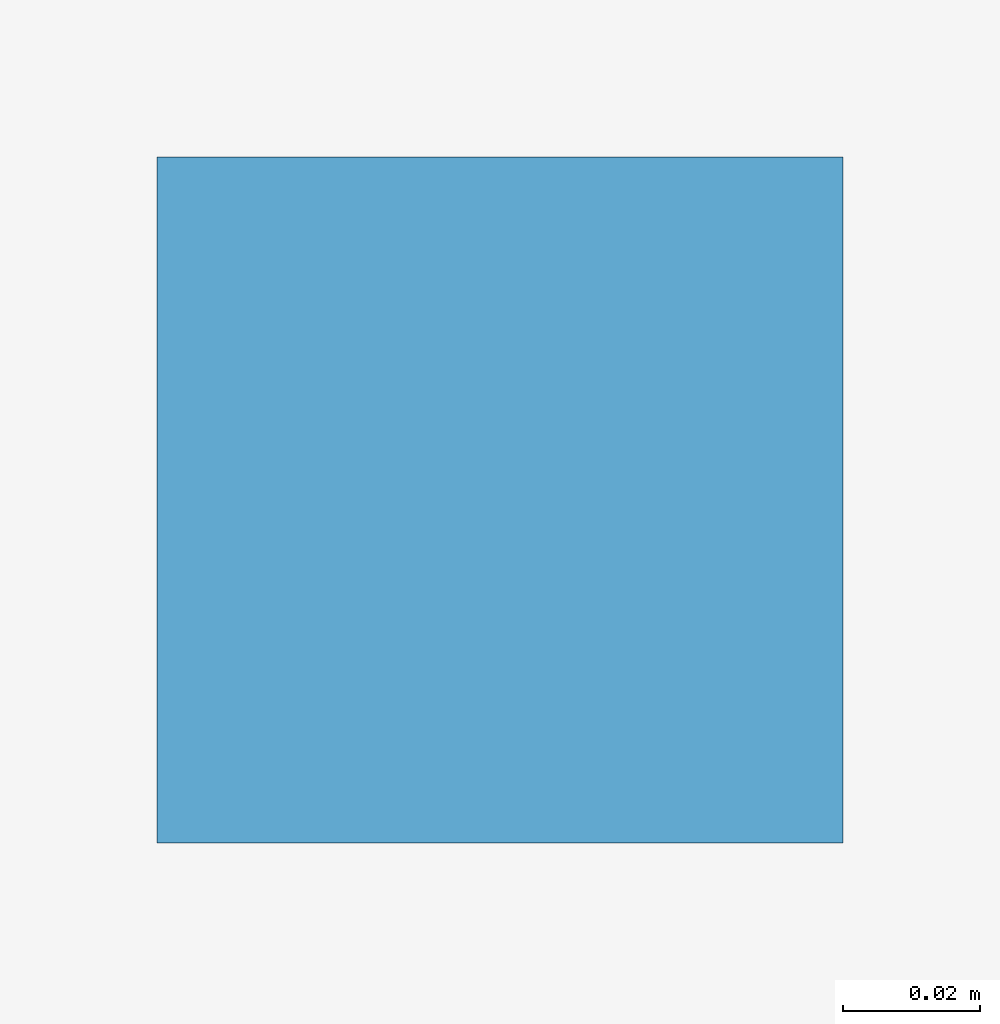
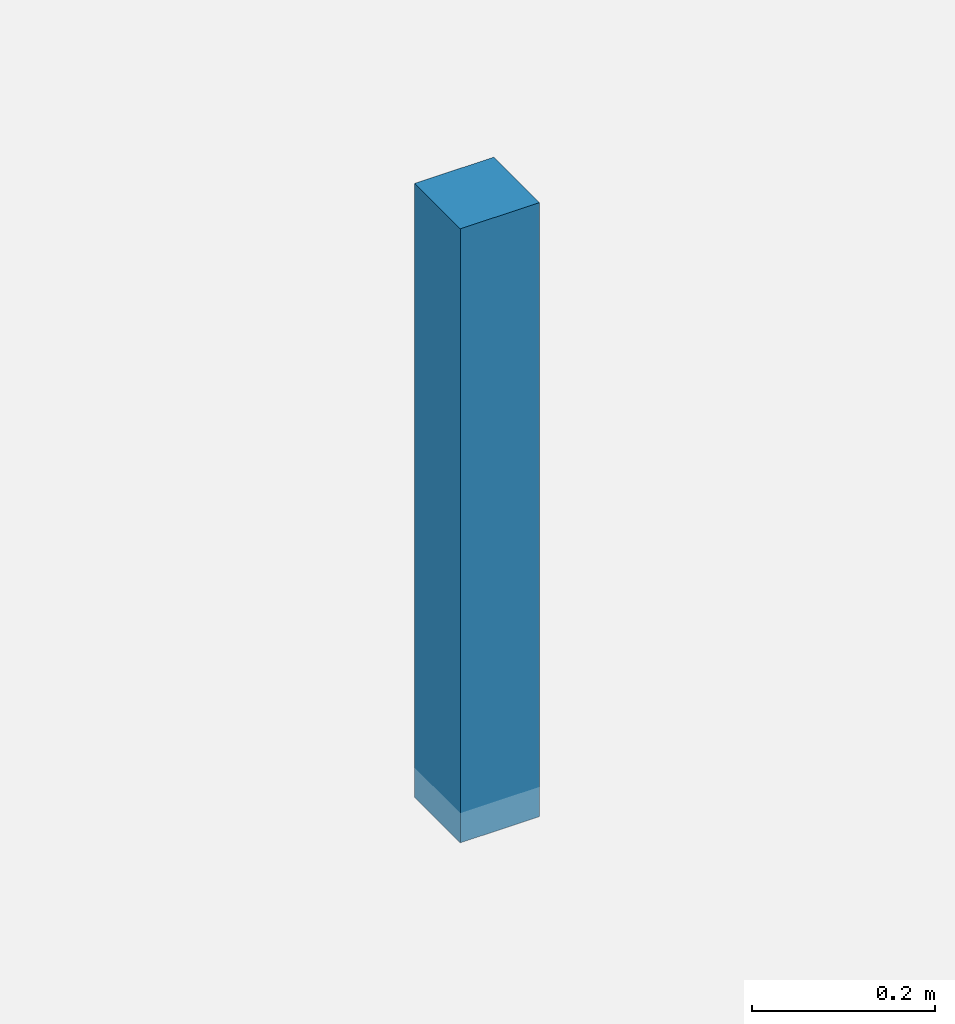
# One storey, part 44 of 52: 1 discrete accessory.
"""IFC4 building model written with IfcOpenShell, lengths in metres."""

import ifcopenshell
import ifcopenshell.guid

model = None  # the IFC model being written
_history = None  # IfcOwnerHistory: only IFC2X3 demands one
_inside = {}  # id of a spatial element -> (the spatial element, [elements in it])
_under = {}  # id of a project, library or spatial element -> (it, [spatial elements below it])
_declared = {}  # id of a project -> (the project, [libraries it declares])
_typed = {}  # id of a type object -> (the type object, [elements of that type])
_made_of = {}  # id of a material, layer set ... -> (it, [elements and type objects made of it])


def new_model(schema):
    """Start an empty IFC model of exactly this schema.

    Asked for "IFC4X3", IfcOpenShell would pick the latest addendum, in which some entities
    have other attributes; the version numbers below select the first issue.
    IFC2X3 requires an IfcOwnerHistory on every rooted entity: one is made here for all.
    """
    global model, _history
    if schema == "IFC4X3":
        model = ifcopenshell.file(schema_version=(4, 3, 0, 0))
    else:
        model = ifcopenshell.file(schema=schema)
    _inside.clear()
    _under.clear()
    _declared.clear()
    _typed.clear()
    _made_of.clear()
    _history = None
    if model.schema == "IFC2X3":
        org = make("IfcOrganization", Name="unknown")
        user = make(
            "IfcPersonAndOrganization",
            ThePerson=make("IfcPerson", FamilyName="unknown"),
            TheOrganization=org,
        )
        app = make(
            "IfcApplication",
            ApplicationDeveloper=org,
            Version="unknown",
            ApplicationFullName="unknown",
            ApplicationIdentifier="unknown",
        )
        _history = make(
            "IfcOwnerHistory",
            OwningUser=user,
            OwningApplication=app,
            ChangeAction="ADDED",
            CreationDate=0,
        )
    return model


def make(cls, **values):
    """One entity of the class cls with the attributes given. An attribute that is None is left unset."""
    return model.create_entity(
        cls, **{name: value for name, value in values.items() if value is not None}
    )


def rooted(cls, **values):
    """An entity with a GlobalId (a new one), such as an element, a storey or a relation."""
    return make(cls, GlobalId=ifcopenshell.guid.new(), OwnerHistory=_history, **values)


def si_unit(unit_type, name, prefix=None):
    """IfcSIUnit, for example si_unit("LENGTHUNIT", "METRE", prefix="MILLI")."""
    return make("IfcSIUnit", UnitType=unit_type, Prefix=prefix, Name=name)


def assignment(units):
    """IfcUnitAssignment: the units of a project."""
    return None if units is None else make("IfcUnitAssignment", Units=units)


def point(xyz):
    """IfcCartesianPoint."""
    return None if xyz is None else make("IfcCartesianPoint", Coordinates=xyz)


def direction(xyz):
    """IfcDirection."""
    return None if xyz is None else make("IfcDirection", DirectionRatios=xyz)


def frame(location, z_axis=None, x_axis=None):
    """IfcAxis2Placement3D, a coordinate frame: its origin and axes. An axis left out is left unset."""
    return make(
        "IfcAxis2Placement3D",
        Location=point(location),
        Axis=direction(z_axis),
        RefDirection=direction(x_axis),
    )


def frame_2d(location, x_axis=None):
    """IfcAxis2Placement2D, a coordinate frame in the plane: its origin and x axis."""
    return make(
        "IfcAxis2Placement2D", Location=point(location), RefDirection=direction(x_axis)
    )


def origin():
    """The frame at (0, 0, 0) with its axes left unset."""
    return frame((0.0, 0.0, 0.0))


def origin_2d():
    """The frame at (0, 0) in the plane with its x axis left unset."""
    return frame_2d((0.0, 0.0))


def place(relative_to, where):
    """IfcLocalPlacement: puts the frame where relative to a parent placement (None: the world)."""
    return make(
        "IfcLocalPlacement", PlacementRelTo=relative_to, RelativePlacement=where
    )


def context(
    kind, dimensions, precision=None, world=None, true_north=None, identifier=None
):
    """IfcGeometricRepresentationContext, for example the 3D "Model" context."""
    return make(
        "IfcGeometricRepresentationContext",
        ContextIdentifier=identifier,
        ContextType=kind,
        CoordinateSpaceDimension=dimensions,
        Precision=precision,
        WorldCoordinateSystem=world,
        TrueNorth=true_north,
    )


def subcontext(parent, identifier, kind, view, scale=None):
    """IfcGeometricRepresentationSubContext, for example "Body" below "Model"."""
    return make(
        "IfcGeometricRepresentationSubContext",
        ContextIdentifier=identifier,
        ContextType=kind,
        ParentContext=parent,
        TargetScale=scale,
        TargetView=view,
    )


def project(units=None, contexts=None):
    """IfcProject with its units and contexts."""
    return rooted(
        "IfcProject",
        Name="project",
        RepresentationContexts=contexts,
        UnitsInContext=assignment(units),
    )


def spatial(cls, under=None, at=None, **own):
    """A site, building, storey or space (cls), placed at a placement, below another one or the project."""
    s = rooted(cls, ObjectPlacement=at, **own)
    if under is not None:
        _under.setdefault(under.id(), (under, []))[1].append(s)
    return s


def profile(cls, at=None, kind="AREA", **sizes):
    """A parametric profile (cls). Its sizes go by their IFC names, for example OverallWidth=200.0."""
    return make(cls, ProfileType=kind, Position=at, **sizes)


def rectangle(**sizes):
    """IfcRectangleProfileDef."""
    return profile("IfcRectangleProfileDef", **sizes)


def extrude(swept, where, along, depth):
    """IfcExtrudedAreaSolid: the profile swept, set in the frame where, extruded along a direction by depth."""
    return make(
        "IfcExtrudedAreaSolid",
        SweptArea=swept,
        Position=where,
        ExtrudedDirection=direction(along),
        Depth=depth,
    )


def shape(context_of_items, identifier, shape_type, items):
    """IfcShapeRepresentation: the items that make up one representation, for example the "Body"."""
    return make(
        "IfcShapeRepresentation",
        ContextOfItems=context_of_items,
        RepresentationIdentifier=identifier,
        RepresentationType=shape_type,
        Items=items,
    )


def material(Name=None, Category=None):
    """IfcMaterial."""
    return make("IfcMaterial", Name=Name, Category=Category)


def made_of(thing, what):
    """Note that an element or type object is made of a material, layer set ...; save() writes the relation."""
    if what is not None:
        _made_of.setdefault(what.id(), (what, []))[1].append(thing)
    return thing


def type_object(cls, material=None, **own):
    """A type object (cls), such as IfcWallType, which elements share."""
    return made_of(rooted(cls, **own), material)


def element(
    cls,
    number,
    at=None,
    inside=None,
    cuts=None,
    type_object=None,
    material=None,
    context=None,
    identifier="Body",
    shape_type=None,
    held_by="IfcProductDefinitionShape",
    body=None,
    shapes=None,
    **own,
):
    """One element of the class cls, such as IfcWall. Its Tag is "e" and its number.

    at: its placement. inside: the storey or other place that contains it. cuts: it is an
    opening in that element (IfcRelVoidsElement). A single representation is given by context,
    identifier, shape_type and body (its items); several are given by shapes. held_by: the class
    of the entity that holds the representations. save() writes the other relations.
    """
    e = rooted(cls, Tag="e%d" % number, ObjectPlacement=at, **own)
    if body is not None:
        shapes = [shape(context, identifier, shape_type, body)]
    if shapes is not None:
        e.Representation = make(held_by, Representations=shapes)
    if inside is not None:
        _inside.setdefault(inside.id(), (inside, []))[1].append(e)
    if cuts is not None:
        rooted(
            "IfcRelVoidsElement", RelatingBuildingElement=cuts, RelatedOpeningElement=e
        )
    if type_object is not None:
        _typed.setdefault(type_object.id(), (type_object, []))[1].append(e)
    return made_of(e, material)


def aggregate(whole, parts):
    """IfcRelAggregates: a whole, such as a stair, and the parts it consists of."""
    return rooted("IfcRelAggregates", RelatingObject=whole, RelatedObjects=parts)


def save(model, path):
    """Write the relations noted so far, then the file.

    IfcRelAggregates (storeys below a building ...), IfcRelContainedInSpatialStructure (elements
    in a storey), IfcRelDefinesByType, IfcRelAssociatesMaterial and IfcRelDeclares: one each for
    every whole, place, type object, material and project.
    """
    for whole, parts in _under.values():
        aggregate(whole, parts)
    for where, things in _inside.values():
        rooted(
            "IfcRelContainedInSpatialStructure",
            RelatedElements=things,
            RelatingStructure=where,
        )
    for kind, things in _typed.values():
        rooted("IfcRelDefinesByType", RelatedObjects=things, RelatingType=kind)
    for what, things in _made_of.values():
        rooted("IfcRelAssociatesMaterial", RelatedObjects=things, RelatingMaterial=what)
    for by, libraries in _declared.values():
        rooted("IfcRelDeclares", RelatingContext=by, RelatedDefinitions=libraries)
    model.write(path)


model = new_model("IFC4")

# Units and contexts
model_context = context("Model", 3, precision=1e-05, world=origin(), true_north=direction((0.0, 1.0)))
body_context = subcontext(model_context, "Body", "Model", "MODEL_VIEW")
ifc_project = project(units=[si_unit("LENGTHUNIT", "METRE"), si_unit("AREAUNIT", "SQUARE_METRE"), si_unit("VOLUMEUNIT", "CUBIC_METRE"), si_unit("PLANEANGLEUNIT", "RADIAN"), si_unit("MASSUNIT", "GRAM", prefix="KILO"), si_unit("THERMODYNAMICTEMPERATUREUNIT", "KELVIN"), si_unit("POWERUNIT", "WATT")], contexts=[model_context])

# Site, building, storey
site_placement = place(None, origin())
site = spatial("IfcSite", under=ifc_project, at=site_placement, CompositionType="ELEMENT")
building_placement = place(site_placement, origin())
building = spatial("IfcBuilding", under=site, at=building_placement, Name="Solmara Park Aquatics Centre", CompositionType="ELEMENT")
storey_placement = place(building_placement, frame((0.0, 0.0, 9.60009765625)))
storey = spatial("IfcBuildingStorey", under=building, at=storey_placement, Name="L02", CompositionType="ELEMENT", Elevation=9.60009765625)

# Discrete accessory
ifc_material = material(Name="Galvanised Steel Ceiling Suspension Bracket", Category="steel")
discrete_accessory_type = type_object("IfcDiscreteAccessoryType", Name="ARC-ACC-HNG", PredefinedType="BRACKET", material=ifc_material)
discrete_accessory_placement = place(storey_placement, frame((87.199951171875, 128.35009765625, 3.6796875), z_axis=(0.0, 0.0, 1.0), x_axis=(1.0, 0.0, 0.0)))
element("IfcDiscreteAccessory", 1, at=discrete_accessory_placement, inside=storey, type_object=discrete_accessory_type, Name="Ceiling Hanger Bracket L02-BIO-01", PredefinedType="BRACKET", context=body_context, shape_type="SweptSolid", body=[
    extrude(rectangle(XDim=0.10009765625, YDim=0.10009765625, at=origin_2d()), origin(), (0.0, 0.0, 1.0), 0.820068359375),
])

save(model, "model.ifc")
